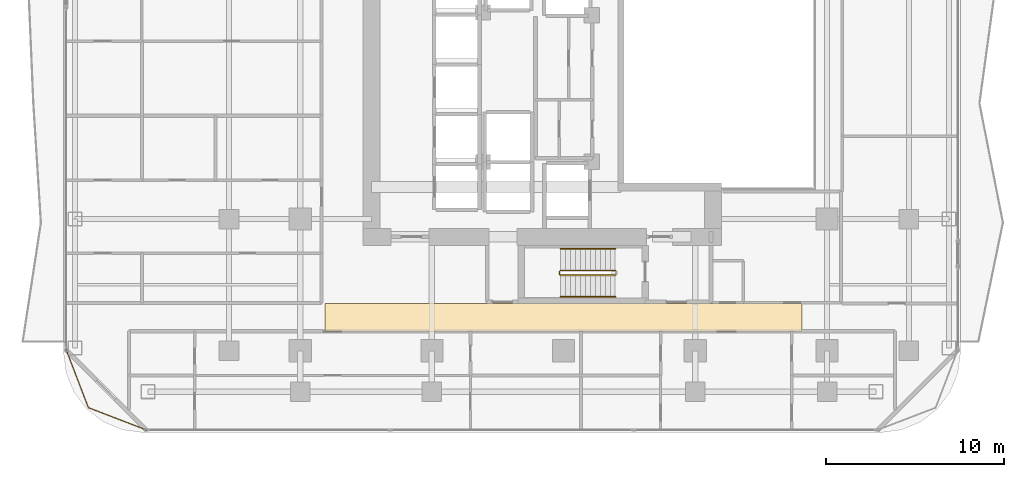
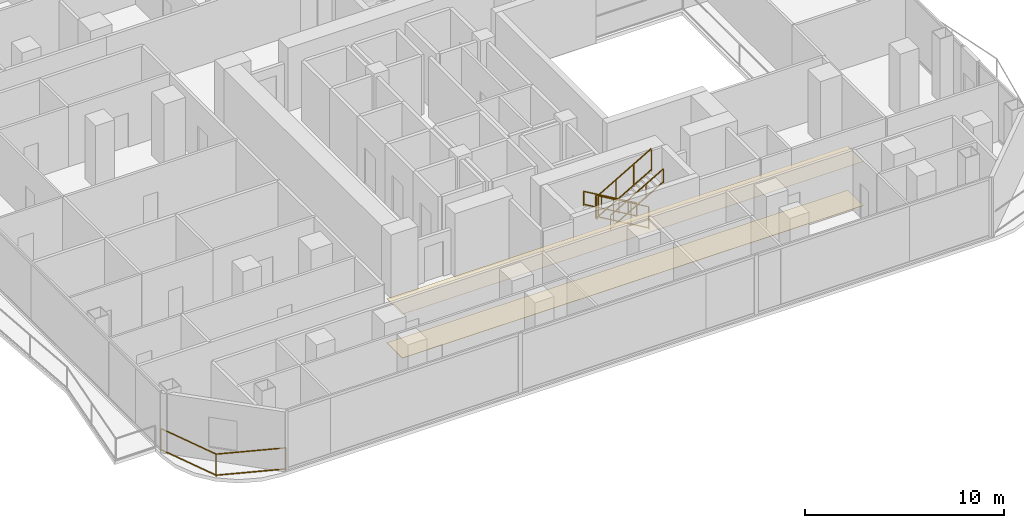
# One storey, part 25 of 28: 6 railings, 2 coverings.
"""IFC4 building model written with IfcOpenShell, lengths in metres."""

from ifc_helpers import new_model, si_unit, direction, frame, origin, origin_2d, place, context, subcontext, project, spatial, polyline, rectangle, outline, extrude, material, layer, layer_set, type_object, element, save


model = new_model("IFC4")

# Units and contexts
model_context = context("Model", 3, precision=1e-05, world=origin(), true_north=direction((0.0, 1.0)))
body_context = subcontext(model_context, "Body", "Model", "MODEL_VIEW")
ifc_project = project(units=[si_unit("LENGTHUNIT", "METRE"), si_unit("AREAUNIT", "SQUARE_METRE"), si_unit("VOLUMEUNIT", "CUBIC_METRE"), si_unit("PLANEANGLEUNIT", "RADIAN"), si_unit("MASSUNIT", "GRAM", prefix="KILO")], contexts=[model_context])

# Site, building, storey
site_placement = place(None, origin())
site = spatial("IfcSite", under=ifc_project, at=site_placement, CompositionType="ELEMENT")
building_placement = place(site_placement, origin())
building = spatial("IfcBuilding", under=site, at=building_placement, Name="Khorvyn Point Tower", CompositionType="ELEMENT")
storey_placement = place(building_placement, frame((0.0, 0.0, 100.800048828125)))
storey = spatial("IfcBuildingStorey", under=building, at=storey_placement, Name="L25", CompositionType="ELEMENT", Elevation=100.800048828125)

# Railing
ifc_material_1 = material(Name="Anodised aluminium 6063-T6 and laminated safety glass", Category="aluminium")
railing_type_1 = type_object("IfcRailingType", Name="Laminated Glass and Aluminium Balcony Guardrail 1400", PredefinedType="BALUSTRADE", material=ifc_material_1)
railing_1_placement = place(storey_placement, frame((-27.97412109375, -14.6708984375, 0.0)))
element("IfcRailing", 1, at=railing_1_placement, inside=storey, type_object=railing_type_1, Name="L25 Rounded Corner Edge Guardrail SW", PredefinedType="BALUSTRADE", context=body_context, shape_type="SweptSolid", body=[
    extrude(rectangle(XDim=0.048095703125, YDim=0.048095703125, at=origin_2d()), frame((0.0, 0.0, 1.3759765625), z_axis=(0.358441788428, -0.933552079055, 0.0), x_axis=(0.933552079055, 0.358441788428, 0.0)), (0.0, 0.0, 1.0), 3.56298828125),
    extrude(rectangle(XDim=0.048095703125, YDim=0.048095703125, at=origin_2d()), frame((0.0, 0.0, 0.080078125), z_axis=(0.358441788428, -0.933552079055, 0.0), x_axis=(0.933552079055, 0.358441788428, 0.0)), (0.0, 0.0, 1.0), 3.56298828125),
    extrude(rectangle(XDim=0.048095703125, YDim=0.048095703125, at=origin_2d()), frame((1.277099609375, -3.326171875, 1.3759765625), z_axis=(0.933575007025, -0.358382067435, 0.0), x_axis=(0.358382067435, 0.933575007025, 0.0)), (0.0, 0.0, 1.0), 3.562744140625),
    extrude(rectangle(XDim=0.048095703125, YDim=0.048095703125, at=origin_2d()), frame((1.277099609375, -3.326171875, 0.080078125), z_axis=(0.933575007025, -0.358382067435, 0.0), x_axis=(0.358382067435, 0.933575007025, 0.0)), (0.0, 0.0, 1.0), 3.562744140625),
    extrude(rectangle(XDim=0.0419921875, YDim=0.0419921875, at=origin_2d()), origin(), (0.0, 0.0, 1.0), 1.351806640625),
    extrude(rectangle(XDim=0.0419921875, YDim=0.0419921875, at=origin_2d()), frame((1.277099609375, -3.326171875, 0.0)), (0.0, 0.0, 1.0), 1.351806640625),
    extrude(rectangle(XDim=0.0419921875, YDim=0.0419921875, at=origin_2d()), frame((4.603271484375, -4.60302734375, 0.0)), (0.0, 0.0, 1.0), 1.351806640625),
])

# Coverings
ifc_material_2 = material(Name="Mineral-fibre acoustic ceiling board", Category="gypsum")
ifc_layer_1 = layer(ifc_material_2, 0.02001953125)
ifc_layer_set_1 = layer_set([ifc_layer_1], Name="Perforated Mineral-Fibre Acoustic Suspended Ceiling 20")
covering_type_1 = type_object("IfcCoveringType", Name="Perforated Mineral-Fibre Acoustic Suspended Ceiling 20", PredefinedType="CEILING", material=ifc_layer_set_1)
covering_1_placement = place(storey_placement, frame((0.0, 0.0, 2.699951171875)))
element("IfcCovering", 2, at=covering_1_placement, inside=storey, type_object=covering_type_1, Name="L25 South Corridor Acoustic Ceiling", PredefinedType="CEILING", context=body_context, shape_type="SweptSolid", body=[
    extrude(outline(polyline([(-13.39990234375, -13.7099609375), (13.39990234375, -13.7099609375), (13.39990234375, -12.139892578125), (-13.39990234375, -12.139892578125), (-13.39990234375, -13.7099609375)])), origin(), (0.0, 0.0, 1.0), 0.02001953125),
])
ifc_material_3 = material(Name="Vitrified porcelain terrazzo tile", Category="ceramic")
ifc_layer_2 = layer(ifc_material_3, 0.01806640625)
ifc_layer_set_2 = layer_set([ifc_layer_2], Name="Porcelain Terrazzo Corridor Floor Finish Tile 18")
covering_type_2 = type_object("IfcCoveringType", Name="Porcelain Terrazzo Corridor Floor Finish Tile 18", PredefinedType="FLOORING", material=ifc_layer_set_2)
covering_2_placement = place(storey_placement, origin())
element("IfcCovering", 3, at=covering_2_placement, inside=storey, type_object=covering_type_2, Name="L25 South Corridor Terrazzo Flooring", PredefinedType="FLOORING", context=body_context, shape_type="SweptSolid", body=[
    extrude(outline(polyline([(-13.39990234375, -13.7099609375), (13.39990234375, -13.7099609375), (13.39990234375, -12.139892578125), (-13.39990234375, -12.139892578125), (-13.39990234375, -13.7099609375)])), origin(), (0.0, 0.0, 1.0), 0.01806640625),
])

# Railings
ifc_material_4 = material(Name="Stainless steel 1.4301", Category="steel")
railing_type_2 = type_object("IfcRailingType", Name="Stainless Steel 304 Stair Pitch Handrail 900", PredefinedType="HANDRAIL", material=ifc_material_4)
railing_2_placement = place(storey_placement, frame((2.89990234375, -9.070068359375, 0.162353515625)))
element("IfcRailing", 4, at=railing_2_placement, inside=storey, type_object=railing_type_2, Name="L25 ST-01 stair handrail 1", PredefinedType="HANDRAIL", context=body_context, shape_type="SweptSolid", body=[
    extrude(rectangle(XDim=0.048095703125, YDim=0.048095703125, at=origin_2d()), frame((0.0, 0.0, 0.8759765625), z_axis=(-0.864873446163, 0.0, 0.501989962173), x_axis=(0.0, -1.0, 0.0)), (0.0, 0.0, 1.0), 3.56103515625),
    extrude(rectangle(XDim=0.048095703125, YDim=0.048095703125, at=origin_2d()), frame((0.0, 0.0, 0.080078125), z_axis=(-0.864873446163, 0.0, 0.501989962173), x_axis=(0.0, -1.0, 0.0)), (0.0, 0.0, 1.0), 3.56103515625),
    extrude(rectangle(XDim=0.0419921875, YDim=0.0419921875, at=origin_2d()), origin(), (0.0, 0.0, 1.0), 0.851806640625),
    extrude(rectangle(XDim=0.0419921875, YDim=0.0419921875, at=origin_2d()), frame((-1.026611328125, 0.0, 0.595947265625)), (0.0, 0.0, 1.0), 0.851806640625),
    extrude(rectangle(XDim=0.0419921875, YDim=0.0419921875, at=origin_2d()), frame((-2.05322265625, 0.0, 1.191650390625)), (0.0, 0.0, 1.0), 0.851806640625),
    extrude(rectangle(XDim=0.0419921875, YDim=0.0419921875, at=origin_2d()), frame((-3.079833984375, 0.0, 1.78759765625)), (0.0, 0.0, 1.0), 0.851806640625),
])
railing_3_placement = place(storey_placement, frame((-0.179931640625, -11.77001953125, 2.112548828125)))
element("IfcRailing", 5, at=railing_3_placement, inside=storey, type_object=railing_type_2, Name="L25 ST-01 stair handrail 2", PredefinedType="HANDRAIL", context=body_context, shape_type="SweptSolid", body=[
    extrude(rectangle(XDim=0.048095703125, YDim=0.048095703125, at=origin_2d()), frame((0.0, 0.0, 0.8759765625), z_axis=(0.864903211148, 0.0, 0.501938676878), x_axis=(0.0, 1.0, 0.0)), (0.0, 0.0, 1.0), 3.560791015625),
    extrude(rectangle(XDim=0.048095703125, YDim=0.048095703125, at=origin_2d()), frame((0.0, 0.0, 0.080078125), z_axis=(0.864903211148, 0.0, 0.501938676878), x_axis=(0.0, 1.0, 0.0)), (0.0, 0.0, 1.0), 3.560791015625),
    extrude(rectangle(XDim=0.0419921875, YDim=0.0419921875, at=origin_2d()), origin(), (0.0, 0.0, 1.0), 0.851806640625),
    extrude(rectangle(XDim=0.0419921875, YDim=0.0419921875, at=origin_2d()), frame((1.026611328125, 0.0, 0.595703125)), (0.0, 0.0, 1.0), 0.851806640625),
    extrude(rectangle(XDim=0.0419921875, YDim=0.0419921875, at=origin_2d()), frame((2.05322265625, 0.0, 1.191650390625)), (0.0, 0.0, 1.0), 0.851806640625),
    extrude(rectangle(XDim=0.0419921875, YDim=0.0419921875, at=origin_2d()), frame((3.079833984375, 0.0, 1.787353515625)), (0.0, 0.0, 1.0), 0.851806640625),
])
railing_type_3 = type_object("IfcRailingType", Name="Stainless Steel 304 Stair Well Guardrail 1400", PredefinedType="GUARDRAIL", material=ifc_material_4)
railing_4_placement = place(storey_placement, frame((2.89990234375, -10.2900390625, 0.162353515625)))
element("IfcRailing", 6, at=railing_4_placement, inside=storey, type_object=railing_type_3, Name="L25 ST-01 stair guard 1", PredefinedType="GUARDRAIL", context=body_context, shape_type="SweptSolid", body=[
    extrude(rectangle(XDim=0.048095703125, YDim=0.048095703125, at=origin_2d()), frame((0.0, 0.0, 1.3759765625), z_axis=(-0.864873446163, 0.0, 0.501989962173), x_axis=(0.0, -1.0, 0.0)), (0.0, 0.0, 1.0), 3.56103515625),
    extrude(rectangle(XDim=0.048095703125, YDim=0.048095703125, at=origin_2d()), frame((0.0, 0.0, 0.080078125), z_axis=(-0.864873446163, 0.0, 0.501989962173), x_axis=(0.0, -1.0, 0.0)), (0.0, 0.0, 1.0), 3.56103515625),
    extrude(rectangle(XDim=0.0419921875, YDim=0.0419921875, at=origin_2d()), origin(), (0.0, 0.0, 1.0), 1.351806640625),
    extrude(rectangle(XDim=0.0419921875, YDim=0.0419921875, at=origin_2d()), frame((-1.026611328125, 0.0, 0.595947265625)), (0.0, 0.0, 1.0), 1.351806640625),
    extrude(rectangle(XDim=0.0419921875, YDim=0.0419921875, at=origin_2d()), frame((-2.05322265625, 0.0, 1.191650390625)), (0.0, 0.0, 1.0), 1.351806640625),
    extrude(rectangle(XDim=0.0419921875, YDim=0.0419921875, at=origin_2d()), frame((-3.079833984375, 0.0, 1.78759765625)), (0.0, 0.0, 1.0), 1.351806640625),
])
railing_5_placement = place(storey_placement, frame((-0.22998046875, -10.340087890625, 1.949951171875)))
element("IfcRailing", 7, at=railing_5_placement, inside=storey, type_object=railing_type_3, Name="L25 ST-01 stair guard 2", PredefinedType="GUARDRAIL", context=body_context, shape_type="SweptSolid", body=[
    extrude(rectangle(XDim=0.048095703125, YDim=0.048095703125, at=origin_2d()), frame((0.0, 0.0, 1.3759765625), z_axis=(0.0, -1.0, 0.0), x_axis=(1.0, 0.0, 0.0)), (0.0, 0.0, 1.0), 0.159912109375),
    extrude(rectangle(XDim=0.048095703125, YDim=0.048095703125, at=origin_2d()), frame((0.0, 0.0, 0.080078125), z_axis=(0.0, -1.0, 0.0), x_axis=(1.0, 0.0, 0.0)), (0.0, 0.0, 1.0), 0.159912109375),
    extrude(rectangle(XDim=0.0419921875, YDim=0.0419921875, at=origin_2d()), origin(), (0.0, 0.0, 1.0), 1.351806640625),
    extrude(rectangle(XDim=0.0419921875, YDim=0.0419921875, at=origin_2d()), frame((0.0, -0.159912109375, 0.0)), (0.0, 0.0, 1.0), 1.351806640625),
])
railing_6_placement = place(storey_placement, frame((-0.179931640625, -10.550048828125, 2.112548828125)))
element("IfcRailing", 8, at=railing_6_placement, inside=storey, type_object=railing_type_3, Name="L25 ST-01 stair guard 3", PredefinedType="GUARDRAIL", context=body_context, shape_type="SweptSolid", body=[
    extrude(rectangle(XDim=0.048095703125, YDim=0.048095703125, at=origin_2d()), frame((0.0, 0.0, 1.3759765625), z_axis=(0.864903211148, 0.0, 0.501938676878), x_axis=(0.0, 1.0, 0.0)), (0.0, 0.0, 1.0), 3.560791015625),
    extrude(rectangle(XDim=0.048095703125, YDim=0.048095703125, at=origin_2d()), frame((0.0, 0.0, 0.080078125), z_axis=(0.864903211148, 0.0, 0.501938676878), x_axis=(0.0, 1.0, 0.0)), (0.0, 0.0, 1.0), 3.560791015625),
    extrude(rectangle(XDim=0.0419921875, YDim=0.0419921875, at=origin_2d()), origin(), (0.0, 0.0, 1.0), 1.351806640625),
    extrude(rectangle(XDim=0.0419921875, YDim=0.0419921875, at=origin_2d()), frame((1.026611328125, 0.0, 0.595703125)), (0.0, 0.0, 1.0), 1.351806640625),
    extrude(rectangle(XDim=0.0419921875, YDim=0.0419921875, at=origin_2d()), frame((2.05322265625, 0.0, 1.191650390625)), (0.0, 0.0, 1.0), 1.351806640625),
    extrude(rectangle(XDim=0.0419921875, YDim=0.0419921875, at=origin_2d()), frame((3.079833984375, 0.0, 1.787353515625)), (0.0, 0.0, 1.0), 1.351806640625),
])

save(model, "model.ifc")
